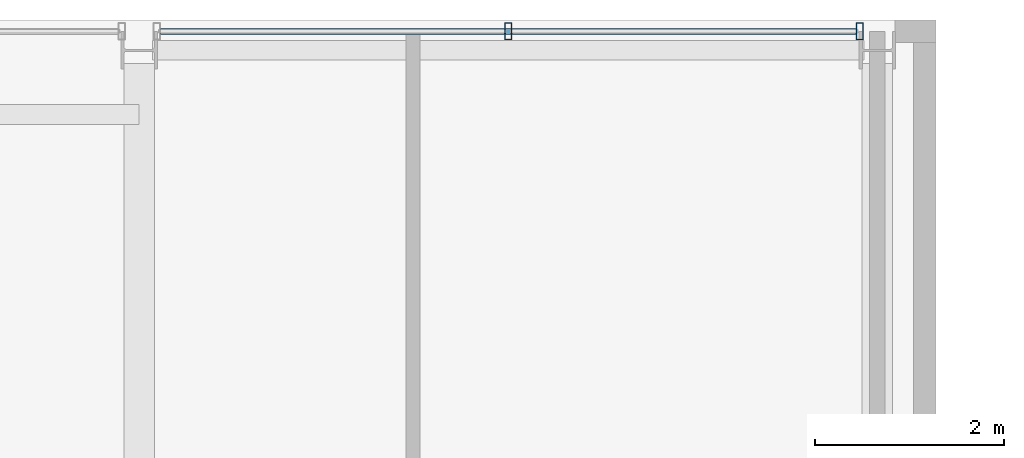
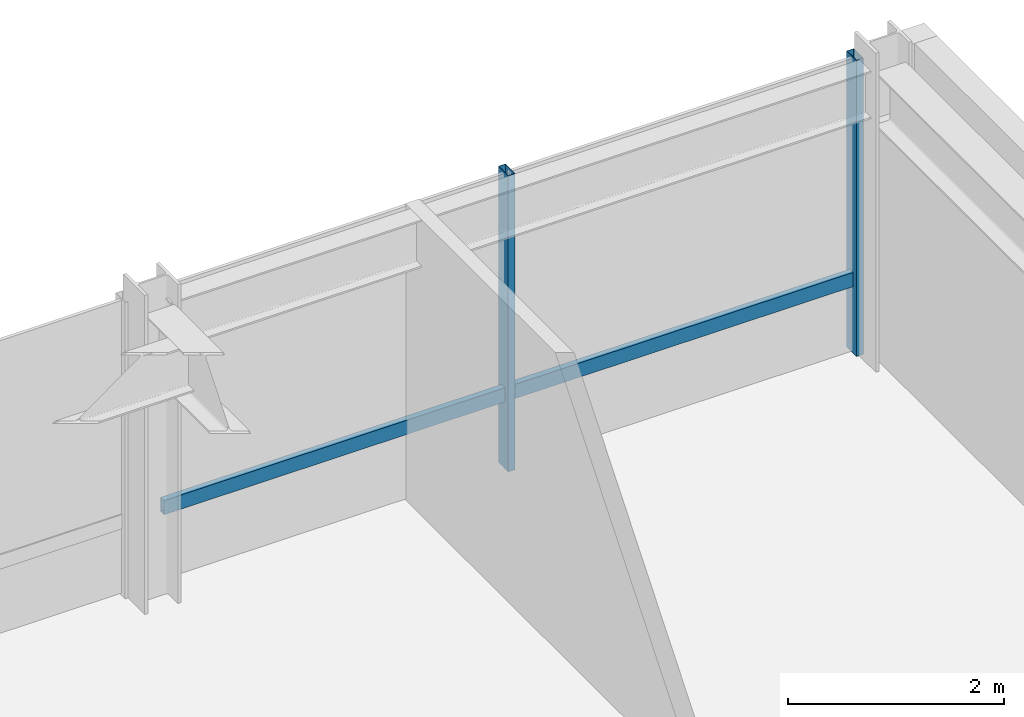
# One storey, part 25 of 34: 3 members, 1 element without a shape of its own.
"""IFC4 building model written with IfcOpenShell, lengths in metres."""

from ifc_helpers import new_model, si_unit, direction, frame, origin, origin_2d, place, context, subcontext, project, spatial, hollow_rectangle, extrude, material, layer, layer_set, material_profile, profile_set, type_object, element, aggregate, save


model = new_model("IFC4")

# Units and contexts
model_context = context("Model", 3, precision=1e-05, world=origin(), true_north=direction((0.0, 1.0)))
body_context = subcontext(model_context, "Body", "Model", "MODEL_VIEW")
ifc_project = project(units=[si_unit("LENGTHUNIT", "METRE"), si_unit("AREAUNIT", "SQUARE_METRE"), si_unit("VOLUMEUNIT", "CUBIC_METRE"), si_unit("PLANEANGLEUNIT", "RADIAN"), si_unit("MASSUNIT", "GRAM", prefix="KILO")], contexts=[model_context])

# Site, building, storey
site_placement = place(None, origin())
site = spatial("IfcSite", under=ifc_project, at=site_placement, CompositionType="ELEMENT")
building_placement = place(site_placement, origin())
building = spatial("IfcBuilding", under=site, at=building_placement, Name="Drelvath Grand Hotel", CompositionType="ELEMENT")
storey_placement = place(building_placement, frame((0.0, 0.0, 208.699951171875)))
storey = spatial("IfcBuildingStorey", under=building, at=storey_placement, Name="L54", CompositionType="ELEMENT", Elevation=208.699951171875)

# Curtain wall, members
ifc_material = material(Name="Platinum-Mist Anodised Aluminium Frame", Category="aluminium")
ifc_layer = layer(ifc_material, 0.199951171875)
ifc_layer_set = layer_set([ifc_layer], Name="Platinum-Mist Anodised Aluminium Frame")
curtain_wall_type = type_object("IfcCurtainWallType", Name="Stick Curtain Wall CW-05 Platinum Mist High-Rise", PredefinedType="NOTDEFINED", material=ifc_layer_set)
curtain_wall_placement = place(storey_placement, origin())
curtain_wall = element("IfcCurtainWall", 1, at=curtain_wall_placement, inside=storey, type_object=curtain_wall_type, Name="L54 CW-05 Curtain Wall CW05-L54-NE2", PredefinedType="NOTDEFINED")
ifc_material_profile_1 = material_profile(ifc_material, hollow_rectangle(XDim=0.06494140625, YDim=0.159912109375, WallThickness=0.00390625, at=origin_2d()), Name="HSS160X65X4")
ifc_profile_set_1 = profile_set([ifc_material_profile_1], Name="Platinum-Mist Anodised Aluminium Frame")
member_type_1 = type_object("IfcMemberType", Name="Curtain Wall Horizontal Transom CW-05 HSS160X65X4", PredefinedType="USERDEFINED", material=ifc_profile_set_1)
member_1_placement = place(storey_placement, frame((8.625244140625, 49.080078125, 0.8349609375), z_axis=(1.0, 0.0, 0.0), x_axis=(0.0, 1.0, 0.0)))
member_1 = element("IfcMember", 2, at=member_1_placement, type_object=member_type_1, Name="CW05-L54-NE2 Sill Transom", ObjectType="TRANSOM", PredefinedType="USERDEFINED", context=body_context, shape_type="SweptSolid", body=[
    extrude(hollow_rectangle(XDim=0.06494140625, YDim=0.159912109375, WallThickness=0.00390625, at=origin_2d()), origin(), (0.0, 0.0, 1.0), 7.349365234375),
])
ifc_material_profile_2 = material_profile(ifc_material, hollow_rectangle(XDim=0.074951171875, YDim=0.179931640625, WallThickness=0.0048828125, at=origin_2d()), Name="HSS180X75X5")
ifc_profile_set_2 = profile_set([ifc_material_profile_2], Name="Platinum-Mist Anodised Aluminium Frame")
member_type_2 = type_object("IfcMemberType", Name="Curtain Wall Vertical Mullion CW-05 HSS180X75X5", PredefinedType="MULLION", material=ifc_profile_set_2)
member_2_placement = place(storey_placement, frame((12.300048828125, 49.080078125, 0.0), z_axis=(0.0, 0.0, 1.0), x_axis=(1.0, 0.0, 0.0)))
member_2 = element("IfcMember", 3, at=member_2_placement, type_object=member_type_2, Name="CW05-L54-NE2 Mullion 2", PredefinedType="MULLION", context=body_context, shape_type="SweptSolid", body=[
    extrude(hollow_rectangle(XDim=0.074951171875, YDim=0.179931640625, WallThickness=0.0048828125, at=origin_2d()), origin(), (0.0, 0.0, 1.0), 3.340087890625),
])
member_3_placement = place(storey_placement, frame((16.0146484375, 49.080078125, 0.0), z_axis=(0.0, 0.0, 1.0), x_axis=(1.0, 0.0, 0.0)))
member_3 = element("IfcMember", 4, at=member_3_placement, type_object=member_type_2, Name="CW05-L54-NE2 Mullion 3", PredefinedType="MULLION", context=body_context, shape_type="SweptSolid", body=[
    extrude(hollow_rectangle(XDim=0.074951171875, YDim=0.179931640625, WallThickness=0.0048828125, at=origin_2d()), origin(), (0.0, 0.0, 1.0), 3.340087890625),
])
aggregate(curtain_wall, [member_2, member_3, member_1])

save(model, "model.ifc")
